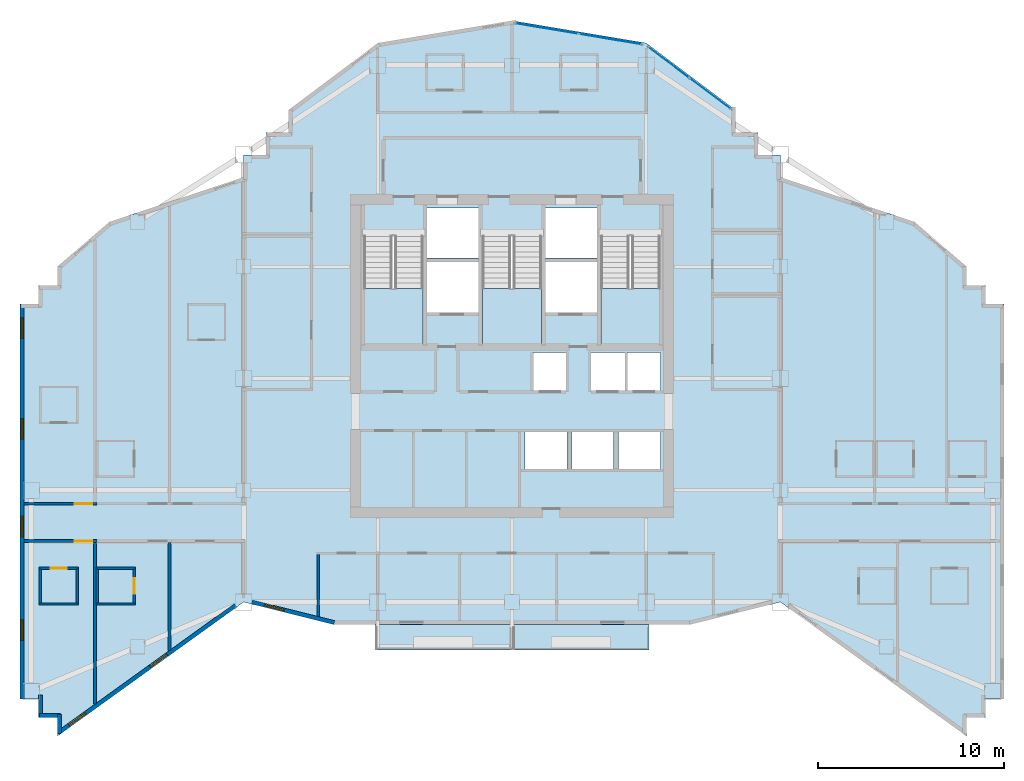
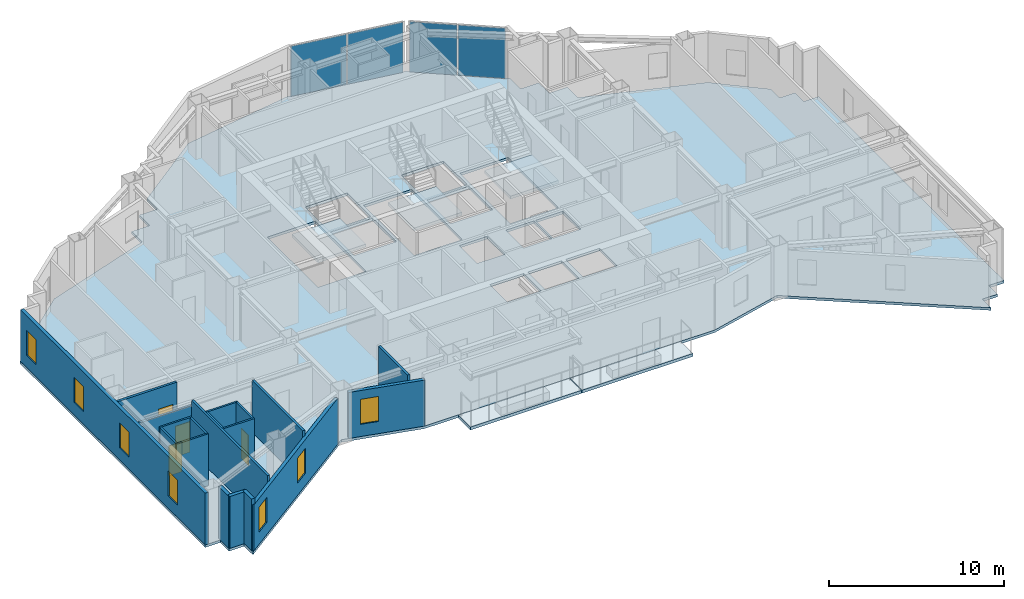
# One storey, part 4 of 11: 19 walls, 7 windows, 6 slabs, 4 doors, 4 plates, 11 openings, 5 elements without a shape of their own.
"""IFC4 building model written with IfcOpenShell, lengths in metres."""

from ifc_helpers import new_model, si_unit, direction, frame, frame_2d, origin, origin_2d, place, context, subcontext, project, spatial, polyline, rectangle, outline, extrude, material, layer, layer_set, type_object, element, fill, aggregate, save


model = new_model("IFC4")

# Units and contexts
model_context = context("Model", 3, precision=1e-05, world=origin(), true_north=direction((0.0, 1.0)))
body_context = subcontext(model_context, "Body", "Model", "MODEL_VIEW")
ifc_project = project(units=[si_unit("LENGTHUNIT", "METRE"), si_unit("AREAUNIT", "SQUARE_METRE"), si_unit("VOLUMEUNIT", "CUBIC_METRE"), si_unit("PLANEANGLEUNIT", "RADIAN"), si_unit("MASSUNIT", "GRAM", prefix="KILO")], contexts=[model_context])

# Site, building, storey
site_placement = place(None, origin())
site = spatial("IfcSite", under=ifc_project, at=site_placement, CompositionType="ELEMENT")
building_placement = place(site_placement, origin())
building = spatial("IfcBuilding", under=site, at=building_placement, Name="Haolan Belvedere Tower", CompositionType="ELEMENT")
storey_placement = place(building_placement, frame((0.0, 0.0, 215.39990234375)))
storey = spatial("IfcBuildingStorey", under=building, at=storey_placement, Name="L54", CompositionType="ELEMENT", Elevation=215.39990234375)

# Curtain wall, plates
ifc_material_1 = material(Name="Anodised champagne-silver aluminium 6063-T6 and Low-E glass", Category="aluminium")
ifc_layer_1 = layer(ifc_material_1, 0.14990234375, Name="Anodised champagne-silver aluminium 6063-T6 and Low-E glass")
ifc_layer_set_1 = layer_set([ifc_layer_1], Name="Anodised champagne-silver aluminium 6063-T6 and Low-E glass")
curtain_wall_type = type_object("IfcCurtainWallType", Name="CW-SYS-04", PredefinedType="NOTDEFINED", material=ifc_layer_set_1)
curtain_wall_1_placement = place(storey_placement, origin())
curtain_wall_1 = element("IfcCurtainWall", 1, at=curtain_wall_1_placement, inside=storey, type_object=curtain_wall_type, Name="L54 CW-SYS-04 ribbon curtain wall 20.1", PredefinedType="NOTDEFINED")
ifc_material_2 = material(Name="Double silver Low-E laminated insulating glass", Category="glass")
ifc_layer_2 = layer(ifc_material_2, 0.02392578125, Name="Double silver Low-E laminated insulating glass")
ifc_layer_set_2 = layer_set([ifc_layer_2], Name="Double silver Low-E laminated insulating glass")
plate_type = type_object("IfcPlateType", Name="CW-SYS-04-PNL", PredefinedType="CURTAIN_PANEL", material=ifc_layer_set_2)
plate_1_placement = place(storey_placement, frame((49.0390625, 48.883056640625, 0.052001953125), z_axis=(0.0, 0.0, 1.0), x_axis=(-0.799997871638, 0.600002837806, 0.0)))
plate_1 = element("IfcPlate", 2, at=plate_1_placement, type_object=plate_type, Name="CW-04 panel 1.1", PredefinedType="CURTAIN_PANEL", context=body_context, shape_type="SweptSolid", body=[
    extrude(rectangle(XDim=2.735107421875, YDim=0.02392578125, at=origin_2d()), origin(), (0.0, 0.0, 1.0), 3.51611328125),
])
plate_2_placement = place(storey_placement, frame((46.806396484375, 50.557861328125, 0.052001953125), z_axis=(0.0, 0.0, 1.0), x_axis=(-0.799997871638, 0.600002837806, 0.0)))
plate_2 = element("IfcPlate", 3, at=plate_2_placement, type_object=plate_type, Name="CW-04 panel 2.1", PredefinedType="CURTAIN_PANEL", context=body_context, shape_type="SweptSolid", body=[
    extrude(rectangle(XDim=2.735107421875, YDim=0.02392578125, at=origin_2d()), origin(), (0.0, 0.0, 1.0), 3.51611328125),
])
aggregate(curtain_wall_1, [plate_1, plate_2])

curtain_wall_2_placement = place(storey_placement, origin())
curtain_wall_2 = element("IfcCurtainWall", 4, at=curtain_wall_2_placement, inside=storey, type_object=curtain_wall_type, Name="L54 CW-SYS-04 ribbon curtain wall 21.1", PredefinedType="NOTDEFINED")
plate_3_placement = place(storey_placement, frame((43.683837890625, 51.807861328125, 0.052001953125), z_axis=(0.0, 0.0, 1.0), x_axis=(-0.98639276122, 0.164405962825, 0.0)))
plate_3 = element("IfcPlate", 5, at=plate_3_placement, type_object=plate_type, Name="CW-04 panel 1.1", PredefinedType="CURTAIN_PANEL", context=body_context, shape_type="SweptSolid", body=[
    extrude(rectangle(XDim=3.403076171875, YDim=0.02392578125, at=origin_2d()), origin(), (0.0, 0.0, 1.0), 3.51611328125),
])
plate_4_placement = place(storey_placement, frame((40.271728515625, 52.37646484375, 0.052001953125), z_axis=(0.0, 0.0, 1.0), x_axis=(-0.98639276122, 0.164405962825, 0.0)))
plate_4 = element("IfcPlate", 6, at=plate_4_placement, type_object=plate_type, Name="CW-04 panel 2.1", PredefinedType="CURTAIN_PANEL", context=body_context, shape_type="SweptSolid", body=[
    extrude(rectangle(XDim=3.403076171875, YDim=0.02392578125, at=origin_2d()), origin(), (0.0, 0.0, 1.0), 3.51611328125),
])
aggregate(curtain_wall_2, [plate_3, plate_4])

# Slabs
ifc_material_3 = material(Name="Concrete C40/50", Category="concrete")
ifc_layer_3 = layer(ifc_material_3, 0.2099609375, Name="Concrete C40/50")
ifc_layer_set_3 = layer_set([ifc_layer_3], Name="Concrete C40/50")
slab_type_1 = type_object("IfcSlabType", Name="SL-BAL-210", PredefinedType="FLOOR", material=ifc_layer_set_3)
slab_1_placement = place(storey_placement, frame((0.0, 0.0, -0.22998046875)))
element("IfcSlab", 7, at=slab_1_placement, inside=storey, type_object=slab_type_1, Name="L54 structural tree-planter balcony slab BAL-L54-S1", PredefinedType="FLOOR", context=body_context, shape_type="SweptSolid", body=[
    extrude(outline(polyline([(31.050048828125, 19.02001953125), (38.3798828125, 19.02001953125), (38.3798828125, 20.39990234375), (31.050048828125, 20.39990234375), (31.050048828125, 19.02001953125)])), origin(), (0.0, 0.0, 1.0), 0.2099609375),
])
slab_2_placement = place(storey_placement, frame((0.0, 0.0, -0.22998046875)))
element("IfcSlab", 8, at=slab_2_placement, inside=storey, type_object=slab_type_1, Name="L54 structural tree-planter balcony slab BAL-L54-S2", PredefinedType="FLOOR", context=body_context, shape_type="SweptSolid", body=[
    extrude(outline(polyline([(38.419921875, 19.02001953125), (45.75, 19.02001953125), (45.75, 20.39990234375), (38.419921875, 20.39990234375), (38.419921875, 19.02001953125)])), origin(), (0.0, 0.0, 1.0), 0.2099609375),
])
ifc_layer_4 = layer(ifc_material_3, 0.179931640625, Name="Concrete C40/50")
ifc_layer_set_4 = layer_set([ifc_layer_4], Name="Concrete C40/50")
slab_type_2 = type_object("IfcSlabType", Name="SL-FLR-180", PredefinedType="FLOOR", material=ifc_layer_set_4)
slab_3_placement = place(storey_placement, frame((0.0, 0.0, -0.179931640625)))
element("IfcSlab", 9, at=slab_3_placement, inside=storey, type_object=slab_type_2, Name="L54 structural floor slab", PredefinedType="FLOOR", context=body_context, shape_type="SweptSolid", body=[
    extrude(outline(polyline([(24.0, 21.60009765625), (28.800048828125, 20.39990234375), (48.0, 20.39990234375), (52.800048828125, 21.60009765625), (62.800048828125, 14.39990234375), (62.800048828125, 15.39990234375), (63.800048828125, 15.39990234375), (63.800048828125, 16.39990234375), (64.800048828125, 16.39990234375), (64.800048828125, 37.60009765625), (63.800048828125, 37.60009765625), (63.800048828125, 38.60009765625), (62.800048828125, 38.60009765625), (62.800048828125, 39.60009765625), (60.0, 42.0), (52.800048828125, 44.39990234375), (52.800048828125, 45.60009765625), (51.60009765625, 45.60009765625), (51.60009765625, 46.800048828125), (50.39990234375, 46.800048828125), (50.39990234375, 48.0), (45.60009765625, 51.60009765625), (38.39990234375, 52.800048828125), (31.199951171875, 51.60009765625), (26.39990234375, 48.0), (26.39990234375, 46.800048828125), (25.199951171875, 46.800048828125), (25.199951171875, 45.60009765625), (24.0, 45.60009765625), (24.0, 44.39990234375), (16.800048828125, 42.0), (14.0, 39.60009765625), (14.0, 38.60009765625), (13.0, 38.60009765625), (13.0, 37.60009765625), (12.0, 37.60009765625), (12.0, 16.800048828125), (12.0, 16.39990234375), (13.0, 16.39990234375), (13.0, 15.39990234375), (14.0, 15.39990234375), (14.0, 14.39990234375), (24.0, 21.60009765625)]), holes=[polyline([(30.449951171875, 41.22998046875), (30.449951171875, 35.449951171875), (33.6298828125, 35.449951171875), (33.6298828125, 41.22998046875), (30.449951171875, 41.22998046875)]), polyline([(36.81005859375, 41.22998046875), (36.81005859375, 35.449951171875), (39.989990234375, 35.449951171875), (39.989990234375, 41.22998046875), (36.81005859375, 41.22998046875)]), polyline([(43.169921875, 41.22998046875), (43.169921875, 35.449951171875), (46.35009765625, 35.449951171875), (46.35009765625, 41.22998046875), (43.169921875, 41.22998046875)]), polyline([(33.830078125, 40.050048828125), (36.610107421875, 40.050048828125), (36.610107421875, 42.75), (33.830078125, 42.75), (33.830078125, 40.050048828125)]), polyline([(33.830078125, 37.14990234375), (36.610107421875, 37.14990234375), (36.610107421875, 39.85009765625), (33.830078125, 39.85009765625), (33.830078125, 37.14990234375)]), polyline([(40.18994140625, 40.050048828125), (42.969970703125, 40.050048828125), (42.969970703125, 42.75), (40.18994140625, 42.75), (40.18994140625, 40.050048828125)]), polyline([(40.18994140625, 37.14990234375), (42.969970703125, 37.14990234375), (42.969970703125, 39.85009765625), (40.18994140625, 39.85009765625), (40.18994140625, 37.14990234375)]), polyline([(39.5400390625, 32.949951171875), (41.389892578125, 32.949951171875), (41.389892578125, 35.0), (39.5400390625, 35.0), (39.5400390625, 32.949951171875)]), polyline([(42.6201171875, 32.949951171875), (44.469970703125, 32.949951171875), (44.469970703125, 35.0), (42.6201171875, 35.0), (42.6201171875, 32.949951171875)]), polyline([(44.580078125, 32.949951171875), (46.3798828125, 32.949951171875), (46.3798828125, 35.0), (44.580078125, 35.0), (44.580078125, 32.949951171875)]), polyline([(39.10009765625, 28.75), (41.340087890625, 28.75), (41.340087890625, 30.75), (39.10009765625, 30.75), (39.10009765625, 28.75)]), polyline([(41.610107421875, 28.75), (43.85009765625, 28.75), (43.85009765625, 30.75), (41.610107421875, 30.75), (41.610107421875, 28.75)]), polyline([(44.1201171875, 28.75), (46.360107421875, 28.75), (46.360107421875, 30.75), (44.1201171875, 30.75), (44.1201171875, 28.75)])]), origin(), (0.0, 0.0, 1.0), 0.179931640625),
])

# Stair, slab
stair_type = type_object("IfcStairType", Name="STR-DL-22R-173", PredefinedType="HALF_TURN_STAIR", material=ifc_material_3)
stair_1_placement = place(storey_placement, origin())
stair_1 = element("IfcStair", 10, at=stair_1_placement, inside=storey, type_object=stair_type, Name="L54 Smokeproof Core Exit Stair ST1", PredefinedType="HALF_TURN_STAIR")
ifc_layer_5 = layer(ifc_material_3, 0.199951171875, Name="Concrete C40/50")
ifc_layer_set_5 = layer_set([ifc_layer_5], Name="Concrete C40/50")
slab_type_3 = type_object("IfcSlabType", Name="SL-LAND-200", PredefinedType="LANDING", material=ifc_layer_set_5)
slab_4_placement = place(storey_placement, frame((0.0, 0.0, 1.7001953125)))
slab_4 = element("IfcSlab", 11, at=slab_4_placement, type_object=slab_type_3, Name="ST1 landing 1", PredefinedType="LANDING", context=body_context, shape_type="SweptSolid", body=[
    extrude(outline(polyline([(30.449951171875, 38.429931640625), (30.449951171875, 35.449951171875), (33.6298828125, 35.449951171875), (33.6298828125, 38.429931640625), (30.449951171875, 38.429931640625)])), origin(), (0.0, 0.0, 1.0), 0.199951171875),
])
aggregate(stair_1, [slab_4])

stair_2_placement = place(storey_placement, origin())
stair_2 = element("IfcStair", 12, at=stair_2_placement, inside=storey, type_object=stair_type, Name="L54 Smokeproof Core Exit Stair ST3", PredefinedType="HALF_TURN_STAIR")
slab_5_placement = place(storey_placement, frame((0.0, 0.0, 1.7001953125)))
slab_5 = element("IfcSlab", 13, at=slab_5_placement, type_object=slab_type_3, Name="ST3 landing 1", PredefinedType="LANDING", context=body_context, shape_type="SweptSolid", body=[
    extrude(outline(polyline([(36.81005859375, 38.429931640625), (36.81005859375, 35.449951171875), (39.989990234375, 35.449951171875), (39.989990234375, 38.429931640625), (36.81005859375, 38.429931640625)])), origin(), (0.0, 0.0, 1.0), 0.199951171875),
])
aggregate(stair_2, [slab_5])

stair_3_placement = place(storey_placement, origin())
stair_3 = element("IfcStair", 14, at=stair_3_placement, inside=storey, type_object=stair_type, Name="L54 Smokeproof Core Exit Stair ST2", PredefinedType="HALF_TURN_STAIR")
slab_6_placement = place(storey_placement, frame((0.0, 0.0, 1.7001953125)))
slab_6 = element("IfcSlab", 15, at=slab_6_placement, type_object=slab_type_3, Name="ST2 landing 1", PredefinedType="LANDING", context=body_context, shape_type="SweptSolid", body=[
    extrude(outline(polyline([(43.169921875, 38.429931640625), (43.169921875, 35.449951171875), (46.35009765625, 35.449951171875), (46.35009765625, 38.429931640625), (43.169921875, 38.429931640625)])), origin(), (0.0, 0.0, 1.0), 0.199951171875),
])
aggregate(stair_3, [slab_6])

# Wall, openings, windows
ifc_material_4 = material(Name="Precast concrete C40/50", Category="concrete")
ifc_layer_6 = layer(ifc_material_4, 0.219970703125, Name="Precast concrete C40/50")
ifc_layer_set_6 = layer_set([ifc_layer_6], Name="Precast concrete C40/50")
wall_type_1 = type_object("IfcWallType", Name="WL-EXT-220", PredefinedType="SOLIDWALL", material=ifc_layer_set_6)
wall_1_placement = place(storey_placement, frame((12.110107421875, 37.544921875, 0.0), z_axis=(0.0, 0.0, 1.0), x_axis=(0.0, -1.0, 0.0)))
wall_1 = element("IfcWall", 16, at=wall_1_placement, inside=storey, type_object=wall_type_1, Name="L54 pale-metal exterior spandrel wall 35.1", PredefinedType="SOLIDWALL", context=body_context, shape_type="SweptSolid", body=[
    extrude(rectangle(XDim=21.14501953125, YDim=0.219970703125, at=frame_2d((10.572509765625, 0.0))), origin(), (0.0, 0.0, 1.0), 3.6201171875),
])
opening_1_placement = place(wall_1_placement, frame((0.699951171875, 0.0, 0.85009765625)))
opening_1 = element("IfcOpeningElement", 17, at=opening_1_placement, cuts=wall_1, Name="Opening W-03", PredefinedType="OPENING", context=body_context, shape_type="SweptSolid", body=[
    extrude(rectangle(XDim=1.10009765625, YDim=1.75, at=frame_2d((0.550048828125, 0.875))), frame((0.0, 0.119873046875, 0.0), z_axis=(0.0, -1.0, 0.0), x_axis=(1.0, 0.0, 0.0)), (0.0, 0.0, 1.0), 0.239990234375),
])
opening_2_placement = place(wall_1_placement, frame((6.10009765625, 0.0, 0.85009765625)))
opening_2 = element("IfcOpeningElement", 18, at=opening_2_placement, cuts=wall_1, Name="Opening W-03", PredefinedType="OPENING", context=body_context, shape_type="SweptSolid", body=[
    extrude(rectangle(XDim=1.10009765625, YDim=1.75, at=frame_2d((0.550048828125, 0.875))), frame((0.0, 0.119873046875, 0.0), z_axis=(0.0, -1.0, 0.0), x_axis=(1.0, 0.0, 0.0)), (0.0, 0.0, 1.0), 0.239990234375),
])
opening_3_placement = place(wall_1_placement, frame((11.340087890625, 0.0, 0.85009765625)))
opening_3 = element("IfcOpeningElement", 19, at=opening_3_placement, cuts=wall_1, Name="Opening W-03", PredefinedType="OPENING", context=body_context, shape_type="SweptSolid", body=[
    extrude(rectangle(XDim=1.10009765625, YDim=1.75, at=frame_2d((0.550048828125, 0.875))), frame((0.0, 0.119873046875, 0.0), z_axis=(0.0, -1.0, 0.0), x_axis=(1.0, 0.0, 0.0)), (0.0, 0.0, 1.0), 0.239990234375),
])
opening_4_placement = place(wall_1_placement, frame((16.89990234375, 0.0, 0.85009765625)))
opening_4 = element("IfcOpeningElement", 20, at=opening_4_placement, cuts=wall_1, Name="Opening W-03", PredefinedType="OPENING", context=body_context, shape_type="SweptSolid", body=[
    extrude(rectangle(XDim=1.10009765625, YDim=1.75, at=frame_2d((0.550048828125, 0.875))), frame((0.0, 0.119873046875, 0.0), z_axis=(0.0, -1.0, 0.0), x_axis=(1.0, 0.0, 0.0)), (0.0, 0.0, 1.0), 0.239990234375),
])
ifc_material_5 = material(Name="Anodised aluminium 6063-T6 and Low-E glass", Category="aluminium")
window_type = type_object("IfcWindowType", Name="WN-DECO-Z3", PartitioningType="SINGLE_PANEL", PredefinedType="WINDOW", material=ifc_material_5)
window_1_placement = place(opening_1_placement, origin())
window_1 = element("IfcWindow", 21, at=window_1_placement, inside=storey, type_object=window_type, Name="L54 Art Deco chevron window 1", OverallHeight=1.75, OverallWidth=1.10009765625, PartitioningType="SINGLE_PANEL", PredefinedType="WINDOW", context=body_context, shape_type="SweptSolid", body=[
    extrude(rectangle(XDim=1.10009765625, YDim=1.75, at=frame_2d((0.550048828125, 0.875))), frame((0.0, 0.030029296875, 0.0), z_axis=(0.0, -1.0, 0.0), x_axis=(1.0, 0.0, 0.0)), (0.0, 0.0, 1.0), 0.06005859375),
])
fill(opening_1, window_1)
window_2_placement = place(opening_2_placement, origin())
window_2 = element("IfcWindow", 22, at=window_2_placement, inside=storey, type_object=window_type, Name="L54 Art Deco chevron window 2", OverallHeight=1.75, OverallWidth=1.10009765625, PartitioningType="SINGLE_PANEL", PredefinedType="WINDOW", context=body_context, shape_type="SweptSolid", body=[
    extrude(rectangle(XDim=1.10009765625, YDim=1.75, at=frame_2d((0.550048828125, 0.875))), frame((0.0, 0.030029296875, 0.0), z_axis=(0.0, -1.0, 0.0), x_axis=(1.0, 0.0, 0.0)), (0.0, 0.0, 1.0), 0.06005859375),
])
fill(opening_2, window_2)
window_3_placement = place(opening_3_placement, origin())
window_3 = element("IfcWindow", 23, at=window_3_placement, inside=storey, type_object=window_type, Name="L54 Art Deco chevron window 3", OverallHeight=1.75, OverallWidth=1.10009765625, PartitioningType="SINGLE_PANEL", PredefinedType="WINDOW", context=body_context, shape_type="SweptSolid", body=[
    extrude(rectangle(XDim=1.10009765625, YDim=1.75, at=frame_2d((0.550048828125, 0.875))), frame((0.0, 0.030029296875, 0.0), z_axis=(0.0, -1.0, 0.0), x_axis=(1.0, 0.0, 0.0)), (0.0, 0.0, 1.0), 0.06005859375),
])
fill(opening_3, window_3)
window_4_placement = place(opening_4_placement, origin())
window_4 = element("IfcWindow", 24, at=window_4_placement, inside=storey, type_object=window_type, Name="L54 Art Deco chevron window 4", OverallHeight=1.75, OverallWidth=1.10009765625, PartitioningType="SINGLE_PANEL", PredefinedType="WINDOW", context=body_context, shape_type="SweptSolid", body=[
    extrude(rectangle(XDim=1.10009765625, YDim=1.75, at=frame_2d((0.550048828125, 0.875))), frame((0.0, 0.030029296875, 0.0), z_axis=(0.0, -1.0, 0.0), x_axis=(1.0, 0.0, 0.0)), (0.0, 0.0, 1.0), 0.06005859375),
])
fill(opening_4, window_4)

# Walls
wall_2_placement = place(storey_placement, frame((13.110107421875, 16.6201171875, 0.0), z_axis=(0.0, 0.0, 1.0), x_axis=(0.0, -1.0, 0.0)))
element("IfcWall", 25, at=wall_2_placement, inside=storey, type_object=wall_type_1, Name="L54 pale-metal exterior spandrel wall 37.1", PredefinedType="SOLIDWALL", context=body_context, shape_type="SweptSolid", body=[
    extrude(rectangle(XDim=1.1650390625, YDim=0.219970703125, at=frame_2d((0.58251953125, 0.0))), origin(), (0.0, 0.0, 1.0), 3.6201171875),
])
wall_3_placement = place(storey_placement, frame((13.054931640625, 15.510009765625, 0.0), z_axis=(0.0, 0.0, 1.0), x_axis=(1.0, 0.0, 0.0)))
element("IfcWall", 26, at=wall_3_placement, inside=storey, type_object=wall_type_1, Name="L54 pale-metal exterior spandrel wall 38.1", PredefinedType="SOLIDWALL", context=body_context, shape_type="SweptSolid", body=[
    extrude(rectangle(XDim=1.110107421875, YDim=0.219970703125, at=frame_2d((0.55517578125, 0.0))), origin(), (0.0, 0.0, 1.0), 3.6201171875),
])
wall_4_placement = place(storey_placement, frame((14.110107421875, 15.56494140625, 0.0), z_axis=(0.0, 0.0, 1.0), x_axis=(0.0, -1.0, 0.0)))
element("IfcWall", 27, at=wall_4_placement, inside=storey, type_object=wall_type_1, Name="L54 pale-metal exterior spandrel wall 39.1", PredefinedType="SOLIDWALL", context=body_context, shape_type="SweptSolid", body=[
    extrude(rectangle(XDim=1.005126953125, YDim=0.219970703125, at=frame_2d((0.50244140625, 0.0))), origin(), (0.0, 0.0, 1.0), 3.6201171875),
])

# Wall, openings, windows
wall_5_placement = place(storey_placement, frame((14.0654296875, 14.58251953125, 0.0), z_axis=(0.0, 0.0, 1.0), x_axis=(0.811534737332, 0.58430417601, 0.0)))
wall_5 = element("IfcWall", 28, at=wall_5_placement, inside=storey, type_object=wall_type_1, Name="L54 pale-metal exterior spandrel wall 40.1", PredefinedType="SOLIDWALL", context=body_context, shape_type="SweptSolid", body=[
    extrude(rectangle(XDim=11.697265625, YDim=0.219970703125, at=frame_2d((5.8486328125, 0.0))), origin(), (0.0, 0.0, 1.0), 3.215087890625),
])
opening_5_placement = place(wall_5_placement, frame((0.699951171875, 0.0, 0.85009765625)))
opening_5 = element("IfcOpeningElement", 29, at=opening_5_placement, cuts=wall_5, Name="Opening W-03", PredefinedType="OPENING", context=body_context, shape_type="SweptSolid", body=[
    extrude(rectangle(XDim=1.10009765625, YDim=1.75, at=frame_2d((0.550048828125, 0.875))), frame((0.0, 0.119873046875, 0.0), z_axis=(0.0, -1.0, 0.0), x_axis=(1.0, 0.0, 0.0)), (0.0, 0.0, 1.0), 0.239990234375),
])
opening_6_placement = place(wall_5_placement, frame((6.075927734375, 0.0, 0.85009765625)))
opening_6 = element("IfcOpeningElement", 30, at=opening_6_placement, cuts=wall_5, Name="Opening W-03", PredefinedType="OPENING", context=body_context, shape_type="SweptSolid", body=[
    extrude(rectangle(XDim=1.10009765625, YDim=1.75, at=frame_2d((0.550048828125, 0.875))), frame((0.0, 0.119873046875, 0.0), z_axis=(0.0, -1.0, 0.0), x_axis=(1.0, 0.0, 0.0)), (0.0, 0.0, 1.0), 0.239990234375),
])
window_5_placement = place(opening_5_placement, origin())
window_5 = element("IfcWindow", 31, at=window_5_placement, inside=storey, type_object=window_type, Name="L54 Art Deco chevron window 1", OverallHeight=1.75, OverallWidth=1.10009765625, PartitioningType="SINGLE_PANEL", PredefinedType="WINDOW", context=body_context, shape_type="SweptSolid", body=[
    extrude(rectangle(XDim=1.10009765625, YDim=1.75, at=frame_2d((0.550048828125, 0.875))), frame((0.0, 0.030029296875, 0.0), z_axis=(0.0, -1.0, 0.0), x_axis=(1.0, 0.0, 0.0)), (0.0, 0.0, 1.0), 0.06005859375),
])
fill(opening_5, window_5)
window_6_placement = place(opening_6_placement, origin())
window_6 = element("IfcWindow", 32, at=window_6_placement, inside=storey, type_object=window_type, Name="L54 Art Deco chevron window 2", OverallHeight=1.75, OverallWidth=1.10009765625, PartitioningType="SINGLE_PANEL", PredefinedType="WINDOW", context=body_context, shape_type="SweptSolid", body=[
    extrude(rectangle(XDim=1.10009765625, YDim=1.75, at=frame_2d((0.550048828125, 0.875))), frame((0.0, 0.030029296875, 0.0), z_axis=(0.0, -1.0, 0.0), x_axis=(1.0, 0.0, 0.0)), (0.0, 0.0, 1.0), 0.06005859375),
])
fill(opening_6, window_6)

# Wall, opening, window
wall_6_placement = place(storey_placement, frame((24.44189453125, 21.602783203125, 0.0), z_axis=(0.0, 0.0, 1.0), x_axis=(0.970145648609, -0.242523030833, 0.0)))
wall_6 = element("IfcWall", 33, at=wall_6_placement, inside=storey, type_object=wall_type_1, Name="L54 pale-metal exterior spandrel wall 41.1", PredefinedType="SOLIDWALL", context=body_context, shape_type="SweptSolid", body=[
    extrude(rectangle(XDim=4.561279296875, YDim=0.219970703125, at=frame_2d((2.28076171875, 0.0))), origin(), (0.0, 0.0, 1.0), 3.215087890625),
])
opening_7_placement = place(wall_6_placement, frame((0.699951171875, 0.0, 0.85009765625)))
opening_7 = element("IfcOpeningElement", 34, at=opening_7_placement, cuts=wall_6, Name="Opening W-03", PredefinedType="OPENING", context=body_context, shape_type="SweptSolid", body=[
    extrude(rectangle(XDim=1.10009765625, YDim=1.75, at=frame_2d((0.550048828125, 0.875))), frame((0.0, 0.119873046875, 0.0), z_axis=(0.0, -1.0, 0.0), x_axis=(1.0, 0.0, 0.0)), (0.0, 0.0, 1.0), 0.239990234375),
])
window_7_placement = place(opening_7_placement, origin())
window_7 = element("IfcWindow", 35, at=window_7_placement, inside=storey, type_object=window_type, Name="L54 Art Deco chevron window 1", OverallHeight=1.75, OverallWidth=1.10009765625, PartitioningType="SINGLE_PANEL", PredefinedType="WINDOW", context=body_context, shape_type="SweptSolid", body=[
    extrude(rectangle(XDim=1.10009765625, YDim=1.75, at=frame_2d((0.550048828125, 0.875))), frame((0.0, 0.030029296875, 0.0), z_axis=(0.0, -1.0, 0.0), x_axis=(1.0, 0.0, 0.0)), (0.0, 0.0, 1.0), 0.06005859375),
])
fill(opening_7, window_7)

# Wall
ifc_material_6 = material(Name="Double gypsum acoustic stud partition", Category="masonry")
ifc_layer_7 = layer(ifc_material_6, 0.14990234375, Name="Double gypsum acoustic stud partition")
ifc_layer_set_7 = layer_set([ifc_layer_7], Name="Double gypsum acoustic stud partition")
wall_type_2 = type_object("IfcWallType", Name="WL-PART-150", PredefinedType="PARTITIONING", material=ifc_layer_set_7)
wall_7_placement = place(storey_placement, frame((28.0, 20.818603515625, 0.0), z_axis=(0.0, 0.0, 1.0), x_axis=(0.0, 1.0, 0.0)))
element("IfcWall", 36, at=wall_7_placement, inside=storey, type_object=wall_type_2, Name="L54 interior partition IW-L54-KS2-W", PredefinedType="PARTITIONING", context=body_context, shape_type="SweptSolid", body=[
    extrude(rectangle(XDim=3.34130859375, YDim=0.14990234375, at=frame_2d((1.670654296875, 0.0))), origin(), (0.0, 0.0, 1.0), 3.6201171875),
])

# Wall, opening, door
wall_8_placement = place(storey_placement, frame((12.2119140625, 26.8798828125, 0.0), z_axis=(0.0, 0.0, 1.0), x_axis=(1.0, 0.0, 0.0)))
wall_8 = element("IfcWall", 37, at=wall_8_placement, inside=storey, type_object=wall_type_2, Name="L54 interior partition IW-L54-T2N1-S", PredefinedType="PARTITIONING", context=body_context, shape_type="SweptSolid", body=[
    extrude(rectangle(XDim=3.91796875, YDim=0.14990234375, at=frame_2d((1.958984375, 0.0))), origin(), (0.0, 0.0, 1.0), 3.6201171875),
])
opening_8_placement = place(wall_8_placement, frame((2.71337890625, 0.0, 0.0)))
opening_8 = element("IfcOpeningElement", 38, at=opening_8_placement, cuts=wall_8, Name="Opening ID-02", PredefinedType="OPENING", context=body_context, shape_type="SweptSolid", body=[
    extrude(rectangle(XDim=0.949951171875, YDim=2.14990234375, at=frame_2d((0.47509765625, 1.074951171875))), frame((0.0, 0.0849609375, 0.0), z_axis=(0.0, -1.0, 0.0), x_axis=(1.0, 0.0, 0.0)), (0.0, 0.0, 1.0), 0.169921875),
])
ifc_material_7 = material(Name="Acoustic oak veneer fire-rated timber", Category="wood")
door_type_1 = type_object("IfcDoorType", Name="DR-GUEST-950", OperationType="NOTDEFINED", PredefinedType="DOOR", material=ifc_material_7)
door_1_placement = place(opening_8_placement, origin())
door_1 = element("IfcDoor", 39, at=door_1_placement, inside=storey, type_object=door_type_1, Name="L54 door ID-L54-T2N1-ENT", OperationType="SINGLE_SWING_LEFT", OverallHeight=2.14990234375, OverallWidth=0.949951171875, PredefinedType="DOOR", context=body_context, shape_type="SweptSolid", body=[
    extrude(rectangle(XDim=0.949951171875, YDim=2.14990234375, at=frame_2d((0.47509765625, 1.074951171875))), frame((0.0, 0.02490234375, 0.0), z_axis=(0.0, -1.0, 0.0), x_axis=(1.0, 0.0, 0.0)), (0.0, 0.0, 1.0), 0.050048828125),
])
fill(opening_8, door_1)

wall_9_placement = place(storey_placement, frame((12.2119140625, 24.8701171875, 0.0), z_axis=(0.0, 0.0, 1.0), x_axis=(1.0, 0.0, 0.0)))
wall_9 = element("IfcWall", 40, at=wall_9_placement, inside=storey, type_object=wall_type_2, Name="L54 interior partition IW-L54-T2S1-N", PredefinedType="PARTITIONING", context=body_context, shape_type="SweptSolid", body=[
    extrude(rectangle(XDim=3.91796875, YDim=0.14990234375, at=frame_2d((1.958984375, 0.0))), origin(), (0.0, 0.0, 1.0), 3.255126953125),
])
opening_9_placement = place(wall_9_placement, frame((3.663330078125, 0.0, 0.0), z_axis=(0.0, 0.0, 1.0), x_axis=(-1.0, 0.0, 0.0)))
opening_9 = element("IfcOpeningElement", 41, at=opening_9_placement, cuts=wall_9, Name="Opening ID-02", PredefinedType="OPENING", context=body_context, shape_type="SweptSolid", body=[
    extrude(rectangle(XDim=0.949951171875, YDim=2.14990234375, at=frame_2d((0.47509765625, 1.074951171875))), frame((0.0, 0.0849609375, 0.0), z_axis=(0.0, -1.0, 0.0), x_axis=(1.0, 0.0, 0.0)), (0.0, 0.0, 1.0), 0.169921875),
])
door_2_placement = place(opening_9_placement, origin())
door_2 = element("IfcDoor", 42, at=door_2_placement, inside=storey, type_object=door_type_1, Name="L54 door ID-L54-T2S1-ENT", OperationType="SINGLE_SWING_RIGHT", OverallHeight=2.14990234375, OverallWidth=0.949951171875, PredefinedType="DOOR", context=body_context, shape_type="SweptSolid", body=[
    extrude(rectangle(XDim=0.949951171875, YDim=2.14990234375, at=frame_2d((0.47509765625, 1.074951171875))), frame((0.0, 0.02490234375, 0.0), z_axis=(0.0, -1.0, 0.0), x_axis=(1.0, 0.0, 0.0)), (0.0, 0.0, 1.0), 0.050048828125),
])
fill(opening_9, door_2)

# Walls
wall_10_placement = place(storey_placement, frame((16.030029296875, 16.122802734375, 0.0), z_axis=(0.0, 0.0, 1.0), x_axis=(0.0, 1.0, 0.0)))
element("IfcWall", 43, at=wall_10_placement, inside=storey, type_object=wall_type_2, Name="L54 interior partition IW-L54-T2S1-E", PredefinedType="PARTITIONING", context=body_context, shape_type="SweptSolid", body=[
    extrude(rectangle(XDim=8.687255859375, YDim=0.14990234375, at=frame_2d((4.34375, 0.0))), origin(), (0.0, 0.0, 1.0), 3.6201171875),
])
wall_11_placement = place(storey_placement, frame((20.02001953125, 18.99560546875, 0.0), z_axis=(0.0, 0.0, 1.0), x_axis=(0.0, 1.0, 0.0)))
element("IfcWall", 44, at=wall_11_placement, inside=storey, type_object=wall_type_2, Name="L54 interior partition IW-L54-T2S2-E", PredefinedType="PARTITIONING", context=body_context, shape_type="SweptSolid", body=[
    extrude(rectangle(XDim=5.814453125, YDim=0.14990234375, at=frame_2d((2.9072265625, 0.0))), origin(), (0.0, 0.0, 1.0), 3.6201171875),
])

# Wall, opening, door
ifc_material_8 = material(Name="Moisture-resistant gypsum tile partition", Category="masonry")
ifc_layer_8 = layer(ifc_material_8, 0.1201171875, Name="Moisture-resistant gypsum tile partition")
ifc_layer_set_8 = layer_set([ifc_layer_8], Name="Moisture-resistant gypsum tile partition")
wall_type_3 = type_object("IfcWallType", Name="WL-WET-120", PredefinedType="PARTITIONING", material=ifc_layer_set_8)
wall_12_placement = place(storey_placement, frame((13.030029296875, 23.419921875, 0.0), z_axis=(0.0, 0.0, 1.0), x_axis=(1.0, 0.0, 0.0)))
wall_12 = element("IfcWall", 45, at=wall_12_placement, inside=storey, type_object=wall_type_3, Name="L54 interior partition IW-L54-T2S1-BN", PredefinedType="PARTITIONING", context=body_context, shape_type="SweptSolid", body=[
    extrude(rectangle(XDim=2.099853515625, YDim=0.1201171875, at=frame_2d((1.0498046875, 0.0))), origin(), (0.0, 0.0, 1.0), 3.6201171875),
])
opening_10_placement = place(wall_12_placement, frame((1.47509765625, 0.0, 0.0), z_axis=(0.0, 0.0, 1.0), x_axis=(-1.0, 0.0, 0.0)))
opening_10 = element("IfcOpeningElement", 46, at=opening_10_placement, cuts=wall_12, Name="Opening ID-05", PredefinedType="OPENING", context=body_context, shape_type="SweptSolid", body=[
    extrude(rectangle(XDim=0.85009765625, YDim=2.10009765625, at=frame_2d((0.425048828125, 1.050048828125))), frame((0.0, 0.070068359375, 0.0), z_axis=(0.0, -1.0, 0.0), x_axis=(1.0, 0.0, 0.0)), (0.0, 0.0, 1.0), 0.14013671875),
])
ifc_material_9 = material(Name="Moisture-resistant lacquered timber", Category="wood")
door_type_2 = type_object("IfcDoorType", Name="DR-BATH-850", OperationType="NOTDEFINED", PredefinedType="DOOR", material=ifc_material_9)
door_3_placement = place(opening_10_placement, origin())
door_3 = element("IfcDoor", 47, at=door_3_placement, inside=storey, type_object=door_type_2, Name="L54 door ID-L54-T2S1-BATH", OperationType="SINGLE_SWING_LEFT", OverallHeight=2.10009765625, OverallWidth=0.85009765625, PredefinedType="DOOR", context=body_context, shape_type="SweptSolid", body=[
    extrude(rectangle(XDim=0.85009765625, YDim=2.10009765625, at=frame_2d((0.425048828125, 1.050048828125))), frame((0.0, 0.02490234375, 0.0), z_axis=(0.0, -1.0, 0.0), x_axis=(1.0, 0.0, 0.0)), (0.0, 0.0, 1.0), 0.050048828125),
])
fill(opening_10, door_3)

# Walls
wall_13_placement = place(storey_placement, frame((13.030029296875, 21.5, 0.0), z_axis=(0.0, 0.0, 1.0), x_axis=(1.0, 0.0, 0.0)))
element("IfcWall", 48, at=wall_13_placement, inside=storey, type_object=wall_type_3, Name="L54 interior partition IW-L54-T2S1-BS", PredefinedType="PARTITIONING", context=body_context, shape_type="SweptSolid", body=[
    extrude(rectangle(XDim=2.099853515625, YDim=0.1201171875, at=frame_2d((1.0498046875, 0.0))), origin(), (0.0, 0.0, 1.0), 3.6201171875),
])
for number, where, z_axis, x_axis, name in (
    (49, (13.090087890625, 21.544921875, 0.0), (0.0, 0.0, 1.0), (0.0, 1.0, 0.0), "L54 interior partition IW-L54-T2S1-BW"),
    (50, (15.070068359375, 21.544921875, 0.0), (0.0, 0.0, 1.0), (0.0, 1.0, 0.0), "L54 interior partition IW-L54-T2S1-BE"),
):
    element("IfcWall", number, at=place(storey_placement, frame(where, z_axis=z_axis, x_axis=x_axis)), inside=storey, type_object=wall_type_3, Name=name, PredefinedType="PARTITIONING", context=body_context, shape_type="SweptSolid", body=[
        extrude(rectangle(XDim=1.830078125, YDim=0.1201171875, at=frame_2d((0.9150390625, 0.0))), origin(), (0.0, 0.0, 1.0), 3.6201171875),
    ])
for number, where, z_axis, x_axis, name in (
    (51, (16.090087890625, 23.419921875, 0.0), (0.0, 0.0, 1.0), (1.0, 0.0, 0.0), "L54 interior partition IW-L54-T2S2-BN"),
    (52, (16.090087890625, 21.5, 0.0), (0.0, 0.0, 1.0), (1.0, 0.0, 0.0), "L54 interior partition IW-L54-T2S2-BS"),
):
    element("IfcWall", number, at=place(storey_placement, frame(where, z_axis=z_axis, x_axis=x_axis)), inside=storey, type_object=wall_type_3, Name=name, PredefinedType="PARTITIONING", context=body_context, shape_type="SweptSolid", body=[
        extrude(rectangle(XDim=2.094970703125, YDim=0.1201171875, at=frame_2d((1.04736328125, 0.0))), origin(), (0.0, 0.0, 1.0), 3.6201171875),
    ])
wall_14_placement = place(storey_placement, frame((16.14501953125, 21.544921875, 0.0), z_axis=(0.0, 0.0, 1.0), x_axis=(0.0, 1.0, 0.0)))
element("IfcWall", 53, at=wall_14_placement, inside=storey, type_object=wall_type_3, Name="L54 interior partition IW-L54-T2S2-BW", PredefinedType="PARTITIONING", context=body_context, shape_type="SweptSolid", body=[
    extrude(rectangle(XDim=1.830078125, YDim=0.1201171875, at=frame_2d((0.9150390625, 0.0))), origin(), (0.0, 0.0, 1.0), 3.6201171875),
])

# Wall, opening, door
wall_15_placement = place(storey_placement, frame((18.125, 21.544921875, 0.0), z_axis=(0.0, 0.0, 1.0), x_axis=(0.0, 1.0, 0.0)))
wall_15 = element("IfcWall", 54, at=wall_15_placement, inside=storey, type_object=wall_type_3, Name="L54 interior partition IW-L54-T2S2-BE", PredefinedType="PARTITIONING", context=body_context, shape_type="SweptSolid", body=[
    extrude(rectangle(XDim=1.830078125, YDim=0.1201171875, at=frame_2d((0.9150390625, 0.0))), origin(), (0.0, 0.0, 1.0), 3.6201171875),
])
opening_11_placement = place(wall_15_placement, frame((0.489990234375, 0.0, 0.0)))
opening_11 = element("IfcOpeningElement", 55, at=opening_11_placement, cuts=wall_15, Name="Opening ID-05", PredefinedType="OPENING", context=body_context, shape_type="SweptSolid", body=[
    extrude(rectangle(XDim=0.85009765625, YDim=2.10009765625, at=frame_2d((0.425048828125, 1.050048828125))), frame((0.0, 0.070068359375, 0.0), z_axis=(0.0, -1.0, 0.0), x_axis=(1.0, 0.0, 0.0)), (0.0, 0.0, 1.0), 0.14013671875),
])
door_4_placement = place(opening_11_placement, origin())
door_4 = element("IfcDoor", 56, at=door_4_placement, inside=storey, type_object=door_type_2, Name="L54 door ID-L54-T2S2-BATH", OperationType="SINGLE_SWING_RIGHT", OverallHeight=2.10009765625, OverallWidth=0.85009765625, PredefinedType="DOOR", context=body_context, shape_type="SweptSolid", body=[
    extrude(rectangle(XDim=0.85009765625, YDim=2.10009765625, at=frame_2d((0.425048828125, 1.050048828125))), frame((0.0, 0.02490234375, 0.0), z_axis=(0.0, -1.0, 0.0), x_axis=(1.0, 0.0, 0.0)), (0.0, 0.0, 1.0), 0.050048828125),
])
fill(opening_11, door_4)

save(model, "model.ifc")
